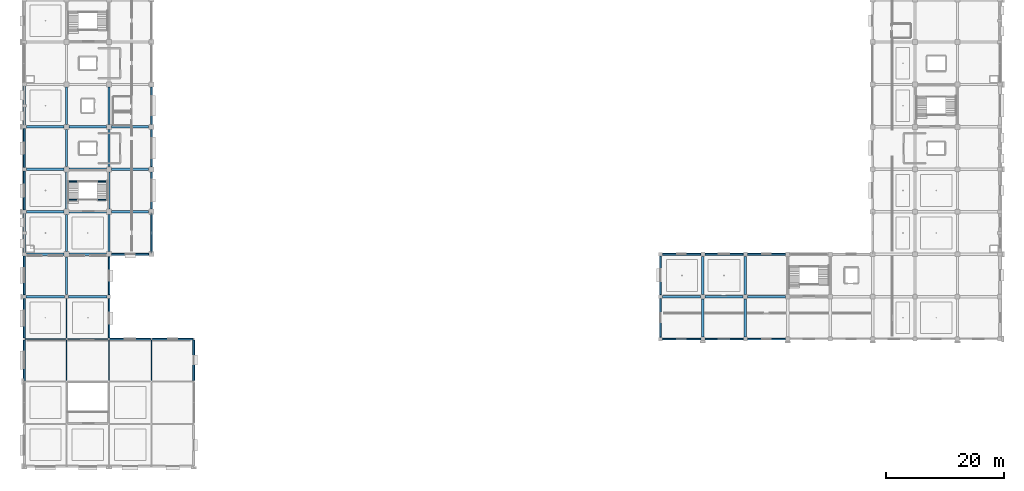
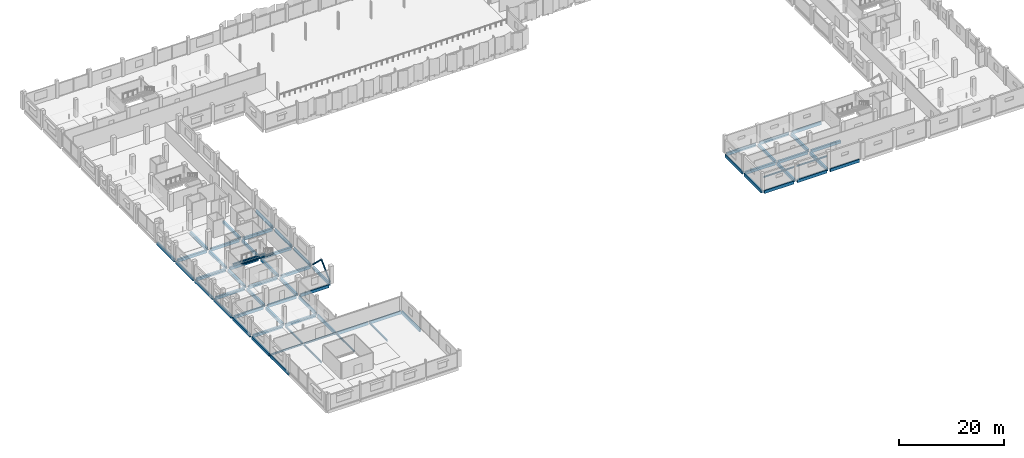
# One storey, part 20 of 107: 64 beams, 2 members.
"""IFC4 building model written with IfcOpenShell, lengths in metres."""

from ifc_helpers import new_model, si_unit, direction, frame, origin, origin_2d, place, context, subcontext, project, spatial, rectangle, hollow_circle, i_section, extrude, material, material_profile, profile_set, type_object, element, save


model = new_model("IFC4")

# Units and contexts
model_context = context("Model", 3, precision=1e-05, world=origin(), true_north=direction((0.0, 1.0)))
body_context = subcontext(model_context, "Body", "Model", "MODEL_VIEW")
ifc_project = project(units=[si_unit("LENGTHUNIT", "METRE"), si_unit("AREAUNIT", "SQUARE_METRE"), si_unit("VOLUMEUNIT", "CUBIC_METRE"), si_unit("PLANEANGLEUNIT", "RADIAN"), si_unit("MASSUNIT", "GRAM", prefix="KILO")], contexts=[model_context])

# Site, building, storey
site_placement = place(None, origin())
site = spatial("IfcSite", under=ifc_project, at=site_placement, CompositionType="ELEMENT")
building_placement = place(site_placement, origin())
building = spatial("IfcBuilding", under=site, at=building_placement, Name="Kangsadwip Square Police Headquarters", CompositionType="ELEMENT")
storey_placement = place(building_placement, frame((0.0, 0.0, 5.39990234375)))
storey = spatial("IfcBuildingStorey", under=building, at=storey_placement, Name="L01", CompositionType="ELEMENT", Elevation=5.39990234375)

# Beams
ifc_material_1 = material(Name="Concrete M35 (35 MPa)", Category="concrete")
ifc_material_profile_1 = material_profile(ifc_material_1, rectangle(XDim=0.39990234375, YDim=0.64990234375, at=origin_2d()), Name="RC BM 650X400")
ifc_profile_set_1 = profile_set([ifc_material_profile_1], Name="Concrete M35 (35 MPa)")
beam_type_1 = type_object("IfcBeamType", Name="RcBeam650x400", PredefinedType="BEAM", material=ifc_profile_set_1)
for number, where, z_axis, x_axis, name in (
    (1, (0.324951171875, 28.800048828125, -0.56494140625), (1.0, 0.0, 0.0), (0.0, 1.0, 0.0), "Beam BM-L01-X-00-04"),
    (2, (7.52490234375, 28.800048828125, -0.56494140625), (1.0, 0.0, 0.0), (0.0, 1.0, 0.0), "Beam BM-L01-X-01-04"),
):
    element("IfcBeam", number, at=place(storey_placement, frame(where, z_axis=z_axis, x_axis=x_axis)), inside=storey, type_object=beam_type_1, Name=name, PredefinedType="BEAM", context=body_context, shape_type="SweptSolid", body=[
        extrude(rectangle(XDim=0.39990234375, YDim=0.64990234375, at=origin_2d()), origin(), (0.0, 0.0, 1.0), 6.550048828125),
    ])
beam_1_placement = place(storey_placement, frame((108.324951171875, 28.800048828125, -0.56494140625), z_axis=(1.0, 0.0, 0.0), x_axis=(0.0, 1.0, 0.0)))
element("IfcBeam", 3, at=beam_1_placement, inside=storey, type_object=beam_type_1, Name="Beam BM-L01-X-15-04", PredefinedType="BEAM", context=body_context, shape_type="SweptSolid", body=[
    extrude(rectangle(XDim=0.39990234375, YDim=0.64990234375, at=origin_2d()), origin(), (0.0, 0.0, 1.0), 6.5),
])
beam_2_placement = place(storey_placement, frame((115.574951171875, 28.800048828125, -0.56494140625), z_axis=(1.0, 0.0, 0.0), x_axis=(0.0, 1.0, 0.0)))
element("IfcBeam", 4, at=beam_2_placement, inside=storey, type_object=beam_type_1, Name="Beam BM-L01-X-16-04", PredefinedType="BEAM", context=body_context, shape_type="SweptSolid", body=[
    extrude(rectangle(XDim=0.39990234375, YDim=0.64990234375, at=origin_2d()), origin(), (0.0, 0.0, 1.0), 6.449951171875),
])
beam_3_placement = place(storey_placement, frame((122.77490234375, 28.800048828125, -0.56494140625), z_axis=(1.0, 0.0, 0.0), x_axis=(0.0, 1.0, 0.0)))
element("IfcBeam", 5, at=beam_3_placement, inside=storey, type_object=beam_type_1, Name="Beam BM-L01-X-17-04", PredefinedType="BEAM", context=body_context, shape_type="SweptSolid", body=[
    extrude(rectangle(XDim=0.39990234375, YDim=0.64990234375, at=origin_2d()), origin(), (0.0, 0.0, 1.0), 6.425048828125),
])
beam_4_placement = place(storey_placement, frame((0.39990234375, 36.0, -0.56494140625), z_axis=(1.0, 0.0, 0.0), x_axis=(0.0, 1.0, 0.0)))
element("IfcBeam", 6, at=beam_4_placement, inside=storey, type_object=beam_type_1, Name="Beam BM-L01-X-00-05", PredefinedType="BEAM", context=body_context, shape_type="SweptSolid", body=[
    extrude(rectangle(XDim=0.39990234375, YDim=0.64990234375, at=origin_2d()), origin(), (0.0, 0.0, 1.0), 6.35009765625),
])
beam_5_placement = place(storey_placement, frame((7.64990234375, 36.0, -0.56494140625), z_axis=(1.0, 0.0, 0.0), x_axis=(0.0, 1.0, 0.0)))
element("IfcBeam", 7, at=beam_5_placement, inside=storey, type_object=beam_type_1, Name="Beam BM-L01-X-01-05", PredefinedType="BEAM", context=body_context, shape_type="SweptSolid", body=[
    extrude(rectangle(XDim=0.39990234375, YDim=0.64990234375, at=origin_2d()), origin(), (0.0, 0.0, 1.0), 6.300048828125),
])
beam_6_placement = place(storey_placement, frame((0.39990234375, 43.199951171875, -0.56494140625), z_axis=(1.0, 0.0, 0.0), x_axis=(0.0, 1.0, 0.0)))
element("IfcBeam", 8, at=beam_6_placement, inside=storey, type_object=beam_type_1, Name="Beam BM-L01-X-00-06", PredefinedType="BEAM", context=body_context, shape_type="SweptSolid", body=[
    extrude(rectangle(XDim=0.39990234375, YDim=0.64990234375, at=origin_2d()), origin(), (0.0, 0.0, 1.0), 6.35009765625),
])
beam_7_placement = place(storey_placement, frame((7.64990234375, 43.199951171875, -0.56494140625), z_axis=(1.0, 0.0, 0.0), x_axis=(0.0, 1.0, 0.0)))
element("IfcBeam", 9, at=beam_7_placement, inside=storey, type_object=beam_type_1, Name="Beam BM-L01-X-01-06", PredefinedType="BEAM", context=body_context, shape_type="SweptSolid", body=[
    extrude(rectangle(XDim=0.39990234375, YDim=0.64990234375, at=origin_2d()), origin(), (0.0, 0.0, 1.0), 6.300048828125),
])
beam_8_placement = place(storey_placement, frame((14.85009765625, 43.199951171875, -0.56494140625), z_axis=(1.0, 0.0, 0.0), x_axis=(0.0, 1.0, 0.0)))
element("IfcBeam", 10, at=beam_8_placement, inside=storey, type_object=beam_type_1, Name="Beam BM-L01-X-02-06", PredefinedType="BEAM", context=body_context, shape_type="SweptSolid", body=[
    extrude(rectangle(XDim=0.39990234375, YDim=0.64990234375, at=origin_2d()), origin(), (0.0, 0.0, 1.0), 6.2998046875),
])
beam_9_placement = place(storey_placement, frame((0.39990234375, 50.39990234375, -0.56494140625), z_axis=(1.0, 0.0, 0.0), x_axis=(0.0, 1.0, 0.0)))
element("IfcBeam", 11, at=beam_9_placement, inside=storey, type_object=beam_type_1, Name="Beam BM-L01-X-00-07", PredefinedType="BEAM", context=body_context, shape_type="SweptSolid", body=[
    extrude(rectangle(XDim=0.39990234375, YDim=0.64990234375, at=origin_2d()), origin(), (0.0, 0.0, 1.0), 6.35009765625),
])
beam_10_placement = place(storey_placement, frame((7.64990234375, 50.39990234375, -0.56494140625), z_axis=(1.0, 0.0, 0.0), x_axis=(0.0, 1.0, 0.0)))
element("IfcBeam", 12, at=beam_10_placement, inside=storey, type_object=beam_type_1, Name="Beam BM-L01-X-01-07", PredefinedType="BEAM", context=body_context, shape_type="SweptSolid", body=[
    extrude(rectangle(XDim=0.39990234375, YDim=0.64990234375, at=origin_2d()), origin(), (0.0, 0.0, 1.0), 6.300048828125),
])
beam_11_placement = place(storey_placement, frame((14.85009765625, 50.39990234375, -0.56494140625), z_axis=(1.0, 0.0, 0.0), x_axis=(0.0, 1.0, 0.0)))
element("IfcBeam", 13, at=beam_11_placement, inside=storey, type_object=beam_type_1, Name="Beam BM-L01-X-02-07", PredefinedType="BEAM", context=body_context, shape_type="SweptSolid", body=[
    extrude(rectangle(XDim=0.39990234375, YDim=0.64990234375, at=origin_2d()), origin(), (0.0, 0.0, 1.0), 6.2998046875),
])
beam_12_placement = place(storey_placement, frame((0.39990234375, 57.60009765625, -0.56494140625), z_axis=(1.0, 0.0, 0.0), x_axis=(0.0, 1.0, 0.0)))
element("IfcBeam", 14, at=beam_12_placement, inside=storey, type_object=beam_type_1, Name="Beam BM-L01-X-00-08", PredefinedType="BEAM", context=body_context, shape_type="SweptSolid", body=[
    extrude(rectangle(XDim=0.39990234375, YDim=0.64990234375, at=origin_2d()), origin(), (0.0, 0.0, 1.0), 6.35009765625),
])
beam_13_placement = place(storey_placement, frame((7.64990234375, 57.60009765625, -0.56494140625), z_axis=(1.0, 0.0, 0.0), x_axis=(0.0, 1.0, 0.0)))
element("IfcBeam", 15, at=beam_13_placement, inside=storey, type_object=beam_type_1, Name="Beam BM-L01-X-01-08", PredefinedType="BEAM", context=body_context, shape_type="SweptSolid", body=[
    extrude(rectangle(XDim=0.39990234375, YDim=0.64990234375, at=origin_2d()), origin(), (0.0, 0.0, 1.0), 6.300048828125),
])
beam_14_placement = place(storey_placement, frame((14.85009765625, 57.60009765625, -0.56494140625), z_axis=(1.0, 0.0, 0.0), x_axis=(0.0, 1.0, 0.0)))
element("IfcBeam", 16, at=beam_14_placement, inside=storey, type_object=beam_type_1, Name="Beam BM-L01-X-02-08", PredefinedType="BEAM", context=body_context, shape_type="SweptSolid", body=[
    extrude(rectangle(XDim=0.39990234375, YDim=0.64990234375, at=origin_2d()), origin(), (0.0, 0.0, 1.0), 6.2998046875),
])
beam_15_placement = place(storey_placement, frame((7.199951171875, 29.125, -0.56494140625), z_axis=(0.0, 1.0, 0.0), x_axis=(-1.0, 0.0, 0.0)))
element("IfcBeam", 17, at=beam_15_placement, inside=storey, type_object=beam_type_1, Name="Beam BM-L01-Y-01-04", PredefinedType="BEAM", context=body_context, shape_type="SweptSolid", body=[
    extrude(rectangle(XDim=0.39990234375, YDim=0.64990234375, at=origin_2d()), origin(), (0.0, 0.0, 1.0), 6.425048828125),
])
for number, where, z_axis, x_axis, name in (
    (18, (7.199951171875, 36.449951171875, -0.56494140625), (0.0, 1.0, 0.0), (-1.0, 0.0, 0.0), "Beam BM-L01-Y-01-05"),
    (19, (7.199951171875, 43.64990234375, -0.56494140625), (0.0, 1.0, 0.0), (-1.0, 0.0, 0.0), "Beam BM-L01-Y-01-06"),
):
    element("IfcBeam", number, at=place(storey_placement, frame(where, z_axis=z_axis, x_axis=x_axis)), inside=storey, type_object=beam_type_1, Name=name, PredefinedType="BEAM", context=body_context, shape_type="SweptSolid", body=[
        extrude(rectangle(XDim=0.39990234375, YDim=0.64990234375, at=origin_2d()), origin(), (0.0, 0.0, 1.0), 6.300048828125),
    ])
beam_16_placement = place(storey_placement, frame((7.199951171875, 50.85009765625, -0.56494140625), z_axis=(0.0, 1.0, 0.0), x_axis=(-1.0, 0.0, 0.0)))
element("IfcBeam", 20, at=beam_16_placement, inside=storey, type_object=beam_type_1, Name="Beam BM-L01-Y-01-07", PredefinedType="BEAM", context=body_context, shape_type="SweptSolid", body=[
    extrude(rectangle(XDim=0.39990234375, YDim=0.64990234375, at=origin_2d()), origin(), (0.0, 0.0, 1.0), 6.2998046875),
])
for number, where, z_axis, x_axis, name in (
    (21, (7.199951171875, 58.050048828125, -0.56494140625), (0.0, 1.0, 0.0), (-1.0, 0.0, 0.0), "Beam BM-L01-Y-01-08"),
    (22, (14.39990234375, 36.449951171875, -0.56494140625), (0.0, 1.0, 0.0), (-1.0, 0.0, 0.0), "Beam BM-L01-Y-02-05"),
    (23, (14.39990234375, 43.64990234375, -0.56494140625), (0.0, 1.0, 0.0), (-1.0, 0.0, 0.0), "Beam BM-L01-Y-02-06"),
):
    element("IfcBeam", number, at=place(storey_placement, frame(where, z_axis=z_axis, x_axis=x_axis)), inside=storey, type_object=beam_type_1, Name=name, PredefinedType="BEAM", context=body_context, shape_type="SweptSolid", body=[
        extrude(rectangle(XDim=0.39990234375, YDim=0.64990234375, at=origin_2d()), origin(), (0.0, 0.0, 1.0), 6.300048828125),
    ])
beam_17_placement = place(storey_placement, frame((14.39990234375, 50.85009765625, -0.56494140625), z_axis=(0.0, 1.0, 0.0), x_axis=(-1.0, 0.0, 0.0)))
element("IfcBeam", 24, at=beam_17_placement, inside=storey, type_object=beam_type_1, Name="Beam BM-L01-Y-02-07", PredefinedType="BEAM", context=body_context, shape_type="SweptSolid", body=[
    extrude(rectangle(XDim=0.39990234375, YDim=0.64990234375, at=origin_2d()), origin(), (0.0, 0.0, 1.0), 6.2998046875),
])
beam_18_placement = place(storey_placement, frame((14.39990234375, 58.050048828125, -0.56494140625), z_axis=(0.0, 1.0, 0.0), x_axis=(-1.0, 0.0, 0.0)))
element("IfcBeam", 25, at=beam_18_placement, inside=storey, type_object=beam_type_1, Name="Beam BM-L01-Y-02-08", PredefinedType="BEAM", context=body_context, shape_type="SweptSolid", body=[
    extrude(rectangle(XDim=0.39990234375, YDim=0.64990234375, at=origin_2d()), origin(), (0.0, 0.0, 1.0), 6.300048828125),
])
for number, where, z_axis, x_axis, name in (
    (26, (115.199951171875, 21.97509765625, -0.56494140625), (0.0, 1.0, 0.0), (-1.0, 0.0, 0.0), "Beam BM-L01-Y-16-03"),
    (27, (115.199951171875, 29.175048828125, -0.56494140625), (0.0, 1.0, 0.0), (-1.0, 0.0, 0.0), "Beam BM-L01-Y-16-04"),
    (28, (122.39990234375, 21.97509765625, -0.56494140625), (0.0, 1.0, 0.0), (-1.0, 0.0, 0.0), "Beam BM-L01-Y-17-03"),
    (29, (122.39990234375, 29.175048828125, -0.56494140625), (0.0, 1.0, 0.0), (-1.0, 0.0, 0.0), "Beam BM-L01-Y-17-04"),
):
    element("IfcBeam", number, at=place(storey_placement, frame(where, z_axis=z_axis, x_axis=x_axis)), inside=storey, type_object=beam_type_1, Name=name, PredefinedType="BEAM", context=body_context, shape_type="SweptSolid", body=[
        extrude(rectangle(XDim=0.39990234375, YDim=0.64990234375, at=origin_2d()), origin(), (0.0, 0.0, 1.0), 6.449951171875),
    ])
ifc_material_2 = material(Name="Concrete M30 (30 MPa)", Category="concrete")
ifc_material_profile_2 = material_profile(ifc_material_2, rectangle(XDim=0.199951171875, YDim=0.25, at=origin_2d()), Name="RC LNT 250X200")
ifc_profile_set_2 = profile_set([ifc_material_profile_2], Name="Concrete M30 (30 MPa)")
beam_type_2 = type_object("IfcBeamType", Name="RcLintel250x200", PredefinedType="LINTEL", material=ifc_profile_set_2)
beam_19_placement = place(storey_placement, frame((108.300048828125, 21.60009765625, 2.875), z_axis=(1.0, 0.0, 0.0), x_axis=(0.0, 1.0, 0.0)))
element("IfcBeam", 30, at=beam_19_placement, inside=storey, type_object=beam_type_2, Name="Opening Lintel Beam LNT-L01-0374", PredefinedType="LINTEL", context=body_context, shape_type="SweptSolid", body=[
    extrude(rectangle(XDim=0.199951171875, YDim=0.25, at=origin_2d()), origin(), (0.0, 0.0, 1.0), 6.550048828125),
])
beam_20_placement = place(storey_placement, frame((115.550048828125, 21.60009765625, 2.875), z_axis=(1.0, 0.0, 0.0), x_axis=(0.0, 1.0, 0.0)))
element("IfcBeam", 31, at=beam_20_placement, inside=storey, type_object=beam_type_2, Name="Opening Lintel Beam LNT-L01-0375", PredefinedType="LINTEL", context=body_context, shape_type="SweptSolid", body=[
    extrude(rectangle(XDim=0.199951171875, YDim=0.25, at=origin_2d()), origin(), (0.0, 0.0, 1.0), 6.5),
])
for number, where, z_axis, x_axis, name in (
    (32, (7.300048828125, 48.340087890625, 1.801025390625), (1.0, 0.0, 0.0), (0.0, 1.0, 0.0), "Stair Carriage and Landing Beam BM-ST-L01-006"),
    (33, (7.300048828125, 45.219970703125, 3.68505859375), (1.0, 0.0, 0.0), (0.0, 1.0, 0.0), "Stair Carriage and Landing Beam BM-ST-L01-007"),
):
    element("IfcBeam", number, at=place(storey_placement, frame(where, z_axis=z_axis, x_axis=x_axis)), inside=storey, type_object=beam_type_2, Name=name, PredefinedType="BEAM", context=body_context, shape_type="SweptSolid", body=[
        extrude(rectangle(XDim=0.199951171875, YDim=0.25, at=origin_2d()), origin(), (0.0, 0.0, 1.0), 7.0),
    ])
ifc_material_3 = material(Name="Concrete M40 (40 MPa)", Category="concrete")
ifc_material_profile_3 = material_profile(ifc_material_3, rectangle(XDim=0.300048828125, YDim=0.699951171875, at=origin_2d()), Name="RC SPN 700X300")
ifc_profile_set_3 = profile_set([ifc_material_profile_3], Name="Concrete M40 (40 MPa)")
beam_type_3 = type_object("IfcBeamType", Name="RcSpandrel700x300", PredefinedType="SPANDREL", material=ifc_profile_set_3)
beam_21_placement = place(storey_placement, frame((14.52490234375, 21.60009765625, -0.58984375), z_axis=(1.0, 0.0, 0.0), x_axis=(0.0, 1.0, 0.0)))
element("IfcBeam", 34, at=beam_21_placement, inside=storey, type_object=beam_type_3, Name="Beam BM-L01-X-02-03", PredefinedType="SPANDREL", context=body_context, shape_type="SweptSolid", body=[
    extrude(rectangle(XDim=0.300048828125, YDim=0.699951171875, at=origin_2d()), origin(), (0.0, 0.0, 1.0), 6.9501953125),
])
beam_22_placement = place(storey_placement, frame((21.72509765625, 21.60009765625, -0.58984375), z_axis=(1.0, 0.0, 0.0), x_axis=(0.0, 1.0, 0.0)))
element("IfcBeam", 35, at=beam_22_placement, inside=storey, type_object=beam_type_3, Name="Beam BM-L01-X-03-03", PredefinedType="SPANDREL", context=body_context, shape_type="SweptSolid", body=[
    extrude(rectangle(XDim=0.300048828125, YDim=0.699951171875, at=origin_2d()), origin(), (0.0, 0.0, 1.0), 6.949951171875),
])
beam_23_placement = place(storey_placement, frame((108.324951171875, 21.60009765625, -0.58984375), z_axis=(1.0, 0.0, 0.0), x_axis=(0.0, 1.0, 0.0)))
element("IfcBeam", 36, at=beam_23_placement, inside=storey, type_object=beam_type_3, Name="Beam BM-L01-X-15-03", PredefinedType="SPANDREL", context=body_context, shape_type="SweptSolid", body=[
    extrude(rectangle(XDim=0.300048828125, YDim=0.699951171875, at=origin_2d()), origin(), (0.0, 0.0, 1.0), 6.5),
])
beam_24_placement = place(storey_placement, frame((115.574951171875, 21.60009765625, -0.58984375), z_axis=(1.0, 0.0, 0.0), x_axis=(0.0, 1.0, 0.0)))
element("IfcBeam", 37, at=beam_24_placement, inside=storey, type_object=beam_type_3, Name="Beam BM-L01-X-16-03", PredefinedType="SPANDREL", context=body_context, shape_type="SweptSolid", body=[
    extrude(rectangle(XDim=0.300048828125, YDim=0.699951171875, at=origin_2d()), origin(), (0.0, 0.0, 1.0), 6.449951171875),
])
beam_25_placement = place(storey_placement, frame((122.77490234375, 21.60009765625, -0.58984375), z_axis=(1.0, 0.0, 0.0), x_axis=(0.0, 1.0, 0.0)))
element("IfcBeam", 38, at=beam_25_placement, inside=storey, type_object=beam_type_3, Name="Beam BM-L01-X-17-03", PredefinedType="SPANDREL", context=body_context, shape_type="SweptSolid", body=[
    extrude(rectangle(XDim=0.300048828125, YDim=0.699951171875, at=origin_2d()), origin(), (0.0, 0.0, 1.0), 6.425048828125),
])
beam_26_placement = place(storey_placement, frame((14.85009765625, 36.0, -0.58984375), z_axis=(1.0, 0.0, 0.0), x_axis=(0.0, 1.0, 0.0)))
element("IfcBeam", 39, at=beam_26_placement, inside=storey, type_object=beam_type_3, Name="Beam BM-L01-X-02-05", PredefinedType="SPANDREL", context=body_context, shape_type="SweptSolid", body=[
    extrude(rectangle(XDim=0.300048828125, YDim=0.699951171875, at=origin_2d()), origin(), (0.0, 0.0, 1.0), 6.2998046875),
])
beam_27_placement = place(storey_placement, frame((108.324951171875, 36.0, -0.58984375), z_axis=(1.0, 0.0, 0.0), x_axis=(0.0, 1.0, 0.0)))
element("IfcBeam", 40, at=beam_27_placement, inside=storey, type_object=beam_type_3, Name="Beam BM-L01-X-15-05", PredefinedType="SPANDREL", context=body_context, shape_type="SweptSolid", body=[
    extrude(rectangle(XDim=0.300048828125, YDim=0.699951171875, at=origin_2d()), origin(), (0.0, 0.0, 1.0), 6.5),
])
beam_28_placement = place(storey_placement, frame((115.574951171875, 36.0, -0.58984375), z_axis=(1.0, 0.0, 0.0), x_axis=(0.0, 1.0, 0.0)))
element("IfcBeam", 41, at=beam_28_placement, inside=storey, type_object=beam_type_3, Name="Beam BM-L01-X-16-05", PredefinedType="SPANDREL", context=body_context, shape_type="SweptSolid", body=[
    extrude(rectangle(XDim=0.300048828125, YDim=0.699951171875, at=origin_2d()), origin(), (0.0, 0.0, 1.0), 6.449951171875),
])
beam_29_placement = place(storey_placement, frame((122.77490234375, 36.0, -0.58984375), z_axis=(1.0, 0.0, 0.0), x_axis=(0.0, 1.0, 0.0)))
element("IfcBeam", 42, at=beam_29_placement, inside=storey, type_object=beam_type_3, Name="Beam BM-L01-X-17-05", PredefinedType="SPANDREL", context=body_context, shape_type="SweptSolid", body=[
    extrude(rectangle(XDim=0.300048828125, YDim=0.699951171875, at=origin_2d()), origin(), (0.0, 0.0, 1.0), 6.425048828125),
])
beam_30_placement = place(storey_placement, frame((0.0, 14.550048828125, -0.58984375), z_axis=(0.0, 1.0, 0.0), x_axis=(-1.0, 0.0, 0.0)))
element("IfcBeam", 43, at=beam_30_placement, inside=storey, type_object=beam_type_3, Name="Beam BM-L01-Y-00-02", PredefinedType="SPANDREL", context=body_context, shape_type="SweptSolid", body=[
    extrude(rectangle(XDim=0.300048828125, YDim=0.699951171875, at=origin_2d()), origin(), (0.0, 0.0, 1.0), 6.89990234375),
])
beam_31_placement = place(storey_placement, frame((0.0, 21.75, -0.58984375), z_axis=(0.0, 1.0, 0.0), x_axis=(-1.0, 0.0, 0.0)))
element("IfcBeam", 44, at=beam_31_placement, inside=storey, type_object=beam_type_3, Name="Beam BM-L01-Y-00-03", PredefinedType="SPANDREL", context=body_context, shape_type="SweptSolid", body=[
    extrude(rectangle(XDim=0.300048828125, YDim=0.699951171875, at=origin_2d()), origin(), (0.0, 0.0, 1.0), 6.72509765625),
])
beam_32_placement = place(storey_placement, frame((0.0, 29.125, -0.58984375), z_axis=(0.0, 1.0, 0.0), x_axis=(-1.0, 0.0, 0.0)))
element("IfcBeam", 45, at=beam_32_placement, inside=storey, type_object=beam_type_3, Name="Beam BM-L01-Y-00-04", PredefinedType="SPANDREL", context=body_context, shape_type="SweptSolid", body=[
    extrude(rectangle(XDim=0.300048828125, YDim=0.699951171875, at=origin_2d()), origin(), (0.0, 0.0, 1.0), 6.574951171875),
])
beam_33_placement = place(storey_placement, frame((0.0, 36.300048828125, -0.58984375), z_axis=(0.0, 1.0, 0.0), x_axis=(-1.0, 0.0, 0.0)))
element("IfcBeam", 46, at=beam_33_placement, inside=storey, type_object=beam_type_3, Name="Beam BM-L01-Y-00-05", PredefinedType="SPANDREL", context=body_context, shape_type="SweptSolid", body=[
    extrude(rectangle(XDim=0.300048828125, YDim=0.699951171875, at=origin_2d()), origin(), (0.0, 0.0, 1.0), 6.599853515625),
])
for number, where, z_axis, x_axis, name in (
    (47, (0.0, 43.5, -0.58984375), (0.0, 1.0, 0.0), (-1.0, 0.0, 0.0), "Beam BM-L01-Y-00-06"),
    (48, (0.0, 50.699951171875, -0.58984375), (0.0, 1.0, 0.0), (-1.0, 0.0, 0.0), "Beam BM-L01-Y-00-07"),
    (49, (0.0, 57.89990234375, -0.58984375), (0.0, 1.0, 0.0), (-1.0, 0.0, 0.0), "Beam BM-L01-Y-00-08"),
):
    element("IfcBeam", number, at=place(storey_placement, frame(where, z_axis=z_axis, x_axis=x_axis)), inside=storey, type_object=beam_type_3, Name=name, PredefinedType="SPANDREL", context=body_context, shape_type="SweptSolid", body=[
        extrude(rectangle(XDim=0.300048828125, YDim=0.699951171875, at=origin_2d()), origin(), (0.0, 0.0, 1.0), 6.60009765625),
    ])
beam_34_placement = place(storey_placement, frame((14.39990234375, 21.75, -0.58984375), z_axis=(0.0, 1.0, 0.0), x_axis=(-1.0, 0.0, 0.0)))
element("IfcBeam", 50, at=beam_34_placement, inside=storey, type_object=beam_type_3, Name="Beam BM-L01-Y-02-03", PredefinedType="SPANDREL", context=body_context, shape_type="SweptSolid", body=[
    extrude(rectangle(XDim=0.300048828125, YDim=0.699951171875, at=origin_2d()), origin(), (0.0, 0.0, 1.0), 6.72509765625),
])
beam_35_placement = place(storey_placement, frame((14.39990234375, 29.125, -0.58984375), z_axis=(0.0, 1.0, 0.0), x_axis=(-1.0, 0.0, 0.0)))
element("IfcBeam", 51, at=beam_35_placement, inside=storey, type_object=beam_type_3, Name="Beam BM-L01-Y-02-04", PredefinedType="SPANDREL", context=body_context, shape_type="SweptSolid", body=[
    extrude(rectangle(XDim=0.300048828125, YDim=0.699951171875, at=origin_2d()), origin(), (0.0, 0.0, 1.0), 6.425048828125),
])
for number, where, z_axis, x_axis, name in (
    (52, (21.60009765625, 36.449951171875, -0.58984375), (0.0, 1.0, 0.0), (-1.0, 0.0, 0.0), "Beam BM-L01-Y-03-05"),
    (53, (21.60009765625, 43.64990234375, -0.58984375), (0.0, 1.0, 0.0), (-1.0, 0.0, 0.0), "Beam BM-L01-Y-03-06"),
):
    element("IfcBeam", number, at=place(storey_placement, frame(where, z_axis=z_axis, x_axis=x_axis)), inside=storey, type_object=beam_type_3, Name=name, PredefinedType="SPANDREL", context=body_context, shape_type="SweptSolid", body=[
        extrude(rectangle(XDim=0.300048828125, YDim=0.699951171875, at=origin_2d()), origin(), (0.0, 0.0, 1.0), 6.300048828125),
    ])
beam_36_placement = place(storey_placement, frame((21.60009765625, 50.85009765625, -0.58984375), z_axis=(0.0, 1.0, 0.0), x_axis=(-1.0, 0.0, 0.0)))
element("IfcBeam", 54, at=beam_36_placement, inside=storey, type_object=beam_type_3, Name="Beam BM-L01-Y-03-07", PredefinedType="SPANDREL", context=body_context, shape_type="SweptSolid", body=[
    extrude(rectangle(XDim=0.300048828125, YDim=0.699951171875, at=origin_2d()), origin(), (0.0, 0.0, 1.0), 6.2998046875),
])
beam_37_placement = place(storey_placement, frame((21.60009765625, 58.050048828125, -0.58984375), z_axis=(0.0, 1.0, 0.0), x_axis=(-1.0, 0.0, 0.0)))
element("IfcBeam", 55, at=beam_37_placement, inside=storey, type_object=beam_type_3, Name="Beam BM-L01-Y-03-08", PredefinedType="SPANDREL", context=body_context, shape_type="SweptSolid", body=[
    extrude(rectangle(XDim=0.300048828125, YDim=0.699951171875, at=origin_2d()), origin(), (0.0, 0.0, 1.0), 6.300048828125),
])
beam_38_placement = place(storey_placement, frame((28.800048828125, 14.550048828125, -0.58984375), z_axis=(0.0, 1.0, 0.0), x_axis=(-1.0, 0.0, 0.0)))
element("IfcBeam", 56, at=beam_38_placement, inside=storey, type_object=beam_type_3, Name="Beam BM-L01-Y-04-02", PredefinedType="SPANDREL", context=body_context, shape_type="SweptSolid", body=[
    extrude(rectangle(XDim=0.300048828125, YDim=0.699951171875, at=origin_2d()), origin(), (0.0, 0.0, 1.0), 6.89990234375),
])
for number, where, z_axis, x_axis, name in (
    (57, (108.0, 21.925048828125, -0.58984375), (0.0, 1.0, 0.0), (-1.0, 0.0, 0.0), "Beam BM-L01-Y-15-03"),
    (58, (108.0, 29.125, -0.58984375), (0.0, 1.0, 0.0), (-1.0, 0.0, 0.0), "Beam BM-L01-Y-15-04"),
):
    element("IfcBeam", number, at=place(storey_placement, frame(where, z_axis=z_axis, x_axis=x_axis)), inside=storey, type_object=beam_type_3, Name=name, PredefinedType="SPANDREL", context=body_context, shape_type="SweptSolid", body=[
        extrude(rectangle(XDim=0.300048828125, YDim=0.699951171875, at=origin_2d()), origin(), (0.0, 0.0, 1.0), 6.550048828125),
    ])
ifc_material_4 = material(Name="Structural steel IS 2062 E350 (Grade 350, 350 MPa)", Category="steel")
ifc_material_profile_4 = material_profile(ifc_material_4, i_section(OverallWidth=0.199951171875, OverallDepth=0.39990234375, WebThickness=0.008544921875, FlangeThickness=0.012939453125, at=origin_2d()), Name="ISWB 400")
ifc_profile_set_4 = profile_set([ifc_material_profile_4], Name="Structural steel IS 2062 E350 (Grade 350, 350 MPa)")
beam_type_4 = type_object("IfcBeamType", Name="SteelBeamIswb400", PredefinedType="BEAM", material=ifc_profile_set_4)
for number, where, z_axis, x_axis, name in (
    (59, (0.125, 21.60009765625, -0.43994140625), (1.0, 0.0, 0.0), (0.0, 1.0, 0.0), "Beam BM-L01-X-00-03"),
    (60, (7.324951171875, 21.60009765625, -0.43994140625), (1.0, 0.0, 0.0), (0.0, 1.0, 0.0), "Beam BM-L01-X-01-03"),
):
    element("IfcBeam", number, at=place(storey_placement, frame(where, z_axis=z_axis, x_axis=x_axis)), inside=storey, type_object=beam_type_4, Name=name, PredefinedType="BEAM", context=body_context, shape_type="SweptSolid", body=[
        extrude(i_section(OverallWidth=0.199951171875, OverallDepth=0.39990234375, WebThickness=0.008544921875, FlangeThickness=0.012939453125, at=origin_2d()), origin(), (0.0, 0.0, 1.0), 6.949951171875),
    ])
beam_39_placement = place(storey_placement, frame((7.199951171875, 14.550048828125, -0.43994140625), z_axis=(0.0, 1.0, 0.0), x_axis=(-1.0, 0.0, 0.0)))
element("IfcBeam", 61, at=beam_39_placement, inside=storey, type_object=beam_type_4, Name="Beam BM-L01-Y-01-02", PredefinedType="BEAM", context=body_context, shape_type="SweptSolid", body=[
    extrude(i_section(OverallWidth=0.199951171875, OverallDepth=0.39990234375, WebThickness=0.008544921875, FlangeThickness=0.012939453125, at=origin_2d()), origin(), (0.0, 0.0, 1.0), 6.89990234375),
])
beam_40_placement = place(storey_placement, frame((7.199951171875, 21.75, -0.43994140625), z_axis=(0.0, 1.0, 0.0), x_axis=(-1.0, 0.0, 0.0)))
element("IfcBeam", 62, at=beam_40_placement, inside=storey, type_object=beam_type_4, Name="Beam BM-L01-Y-01-03", PredefinedType="BEAM", context=body_context, shape_type="SweptSolid", body=[
    extrude(i_section(OverallWidth=0.199951171875, OverallDepth=0.39990234375, WebThickness=0.008544921875, FlangeThickness=0.012939453125, at=origin_2d()), origin(), (0.0, 0.0, 1.0), 6.72509765625),
])
for number, where, z_axis, x_axis, name in (
    (63, (14.39990234375, 14.550048828125, -0.43994140625), (0.0, 1.0, 0.0), (-1.0, 0.0, 0.0), "Beam BM-L01-Y-02-02"),
    (64, (21.60009765625, 14.550048828125, -0.43994140625), (0.0, 1.0, 0.0), (-1.0, 0.0, 0.0), "Beam BM-L01-Y-03-02"),
):
    element("IfcBeam", number, at=place(storey_placement, frame(where, z_axis=z_axis, x_axis=x_axis)), inside=storey, type_object=beam_type_4, Name=name, PredefinedType="BEAM", context=body_context, shape_type="SweptSolid", body=[
        extrude(i_section(OverallWidth=0.199951171875, OverallDepth=0.39990234375, WebThickness=0.008544921875, FlangeThickness=0.012939453125, at=origin_2d()), origin(), (0.0, 0.0, 1.0), 6.89990234375),
    ])

# Members
ifc_material_5 = material(Name="Structural steel IS 2062 E350 (Grade 350, 350 MPa)", Category="steel")
ifc_material_profile_5 = material_profile(ifc_material_5, hollow_circle(Radius=0.162109375, WallThickness=0.011962890625, at=origin_2d()), Name="CHS 324X12")
ifc_profile_set_5 = profile_set([ifc_material_profile_5], Name="Structural steel IS 2062 E350 (Grade 350, 350 MPa)")
member_type = type_object("IfcMemberType", Name="TrussBraceChs324", PredefinedType="BRACE", material=ifc_profile_set_5)
member_1_placement = place(storey_placement, frame((21.60009765625, 36.300048828125, 0.0), z_axis=(0.0, 0.716796845166, 0.697282068291), x_axis=(-1.0, 0.0, 0.0)))
element("IfcMember", 65, at=member_1_placement, inside=storey, type_object=member_type, Name="Truss Member MEM-L01-0272", PredefinedType="BRACE", context=body_context, shape_type="SweptSolid", body=[
    extrude(hollow_circle(Radius=0.162109375, WallThickness=0.011962890625, at=origin_2d()), origin(), (0.0, 0.0, 1.0), 4.60400390625),
])
member_2_placement = place(storey_placement, frame((21.60009765625, 42.89990234375, 0.0), z_axis=(0.0, -0.716771060736, 0.697308573367), x_axis=(1.0, 0.0, 0.0)))
element("IfcMember", 66, at=member_2_placement, inside=storey, type_object=member_type, Name="Truss Member MEM-L01-0273", PredefinedType="BRACE", context=body_context, shape_type="SweptSolid", body=[
    extrude(hollow_circle(Radius=0.162109375, WallThickness=0.011962890625, at=origin_2d()), origin(), (0.0, 0.0, 1.0), 4.603759765625),
])

save(model, "model.ifc")
